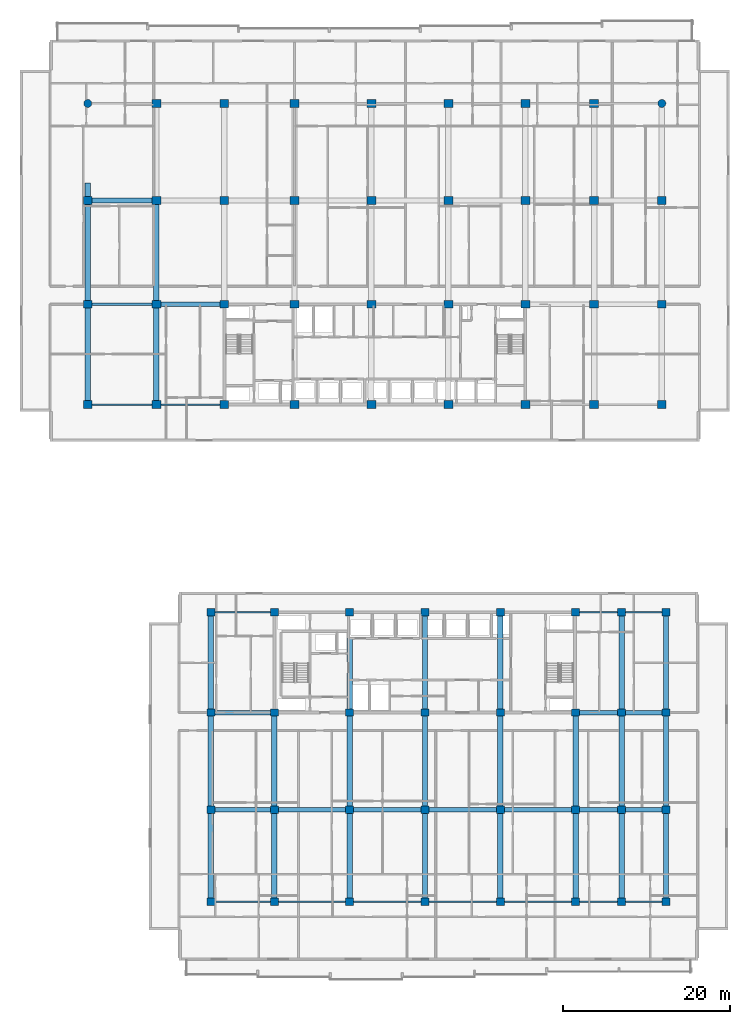
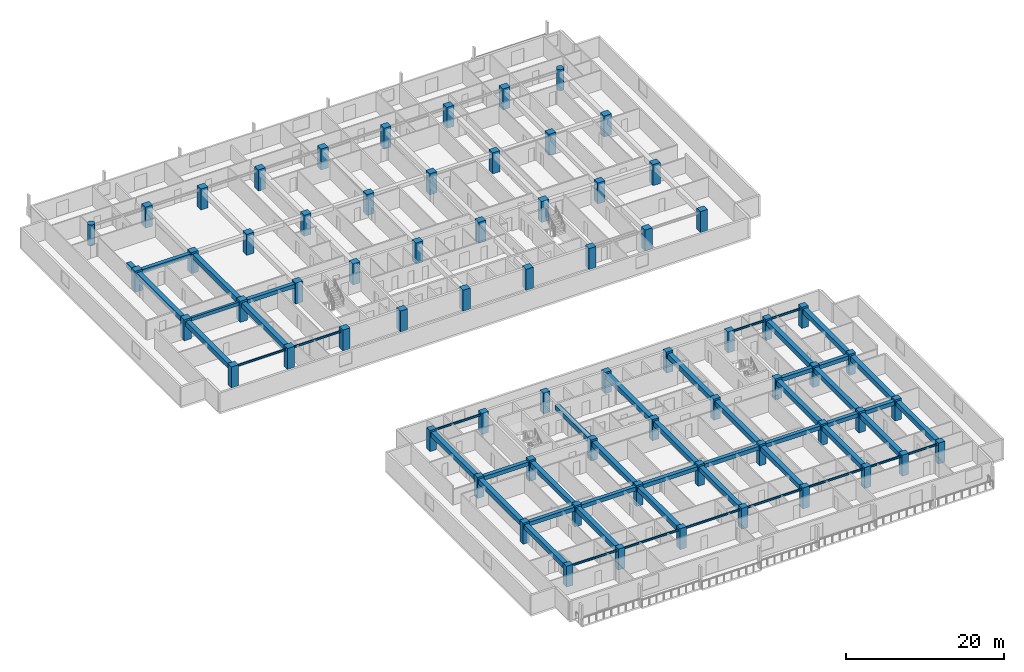
# One storey, part 1 of 23: 68 columns, 52 beams.
"""IFC4 building model written with IfcOpenShell, lengths in metres."""

from ifc_helpers import new_model, si_unit, direction, frame, origin, origin_2d, place, context, subcontext, project, spatial, rectangle, circle, i_section, extrude, material, material_profile, profile_set, type_object, element, save


model = new_model("IFC4")

# Units and contexts
model_context = context("Model", 3, precision=1e-05, world=origin(), true_north=direction((0.0, 1.0)))
body_context = subcontext(model_context, "Body", "Model", "MODEL_VIEW")
ifc_project = project(units=[si_unit("LENGTHUNIT", "METRE"), si_unit("AREAUNIT", "SQUARE_METRE"), si_unit("VOLUMEUNIT", "CUBIC_METRE"), si_unit("PLANEANGLEUNIT", "RADIAN"), si_unit("MASSUNIT", "GRAM", prefix="KILO")], contexts=[model_context])

# Site, building, storey
site_placement = place(None, origin())
site = spatial("IfcSite", under=ifc_project, at=site_placement, CompositionType="ELEMENT")
building_placement = place(site_placement, origin())
building = spatial("IfcBuilding", under=site, at=building_placement, Name="Korimba Cascade Residences", CompositionType="ELEMENT")
storey_placement = place(building_placement, frame((0.0, 0.0, 40.25)))
storey = spatial("IfcBuildingStorey", under=building, at=storey_placement, Name="L10", CompositionType="ELEMENT", Elevation=40.25)

# Columns
ifc_material_1 = material(Name="Concrete C80/95", Category="concrete")
ifc_material_profile_1 = material_profile(ifc_material_1, rectangle(XDim=1.050048828125, YDim=0.949951171875, at=origin_2d()), Name="Concrete C80/95")
ifc_profile_set_1 = profile_set([ifc_material_profile_1], Name="Concrete C80/95")
column_type_1 = type_object("IfcColumnType", Name="COL-RC-1050", PredefinedType="COLUMN", material=ifc_profile_set_1)
for number, where, z_axis, x_axis, name in (
    (1, (59.800048828125, 55.199951171875, 0.0), (0.0, 0.0, 1.0), (1.0, 0.0, 0.0), "L10 Tower 1 Column 1.1"),
    (2, (59.800048828125, 67.199951171875, 0.0), (0.0, 0.0, 1.0), (1.0, 0.0, 0.0), "L10 Tower 1 Column 1.2"),
    (3, (59.800048828125, 79.60009765625, 0.0), (0.0, 0.0, 1.0), (1.0, 0.0, 0.0), "L10 Tower 1 Column 1.3"),
    (4, (68.0, 55.199951171875, 0.0), (0.0, 0.0, 1.0), (1.0, 0.0, 0.0), "L10 Tower 1 Column 2.1"),
    (5, (68.0, 67.199951171875, 0.0), (0.0, 0.0, 1.0), (1.0, 0.0, 0.0), "L10 Tower 1 Column 2.2"),
    (6, (68.0, 79.60009765625, 0.0), (0.0, 0.0, 1.0), (1.0, 0.0, 0.0), "L10 Tower 1 Column 2.3"),
    (7, (68.0, 91.199951171875, 0.0), (0.0, 0.0, 1.0), (1.0, 0.0, 0.0), "L10 Tower 1 Column 2.4"),
    (8, (76.10009765625, 55.199951171875, 0.0), (0.0, 0.0, 1.0), (1.0, 0.0, 0.0), "L10 Tower 1 Column 3.1"),
    (9, (76.10009765625, 67.199951171875, 0.0), (0.0, 0.0, 1.0), (1.0, 0.0, 0.0), "L10 Tower 1 Column 3.2"),
    (10, (76.10009765625, 79.60009765625, 0.0), (0.0, 0.0, 1.0), (1.0, 0.0, 0.0), "L10 Tower 1 Column 3.3"),
    (11, (76.10009765625, 91.199951171875, 0.0), (0.0, 0.0, 1.0), (1.0, 0.0, 0.0), "L10 Tower 1 Column 3.4"),
    (12, (84.5, 55.199951171875, 0.0), (0.0, 0.0, 1.0), (1.0, 0.0, 0.0), "L10 Tower 1 Column 4.1"),
    (13, (84.5, 67.199951171875, 0.0), (0.0, 0.0, 1.0), (1.0, 0.0, 0.0), "L10 Tower 1 Column 4.2"),
    (14, (84.5, 79.60009765625, 0.0), (0.0, 0.0, 1.0), (1.0, 0.0, 0.0), "L10 Tower 1 Column 4.3"),
    (15, (84.5, 91.199951171875, 0.0), (0.0, 0.0, 1.0), (1.0, 0.0, 0.0), "L10 Tower 1 Column 4.4"),
    (16, (93.699951171875, 55.199951171875, 0.0), (0.0, 0.0, 1.0), (1.0, 0.0, 0.0), "L10 Tower 1 Column 5.1"),
    (17, (93.699951171875, 67.199951171875, 0.0), (0.0, 0.0, 1.0), (1.0, 0.0, 0.0), "L10 Tower 1 Column 5.2"),
    (18, (93.699951171875, 79.60009765625, 0.0), (0.0, 0.0, 1.0), (1.0, 0.0, 0.0), "L10 Tower 1 Column 5.3"),
    (19, (93.699951171875, 91.199951171875, 0.0), (0.0, 0.0, 1.0), (1.0, 0.0, 0.0), "L10 Tower 1 Column 5.4"),
    (20, (102.89990234375, 55.199951171875, 0.0), (0.0, 0.0, 1.0), (1.0, 0.0, 0.0), "L10 Tower 1 Column 6.1"),
    (21, (102.89990234375, 67.199951171875, 0.0), (0.0, 0.0, 1.0), (1.0, 0.0, 0.0), "L10 Tower 1 Column 6.2"),
    (22, (102.89990234375, 79.60009765625, 0.0), (0.0, 0.0, 1.0), (1.0, 0.0, 0.0), "L10 Tower 1 Column 6.3"),
    (23, (102.89990234375, 91.199951171875, 0.0), (0.0, 0.0, 1.0), (1.0, 0.0, 0.0), "L10 Tower 1 Column 6.4"),
    (24, (112.10009765625, 55.199951171875, 0.0), (0.0, 0.0, 1.0), (1.0, 0.0, 0.0), "L10 Tower 1 Column 7.1"),
    (25, (112.10009765625, 67.199951171875, 0.0), (0.0, 0.0, 1.0), (1.0, 0.0, 0.0), "L10 Tower 1 Column 7.2"),
    (26, (112.10009765625, 79.60009765625, 0.0), (0.0, 0.0, 1.0), (1.0, 0.0, 0.0), "L10 Tower 1 Column 7.3"),
    (27, (112.10009765625, 91.199951171875, 0.0), (0.0, 0.0, 1.0), (1.0, 0.0, 0.0), "L10 Tower 1 Column 7.4"),
    (28, (120.300048828125, 55.199951171875, 0.0), (0.0, 0.0, 1.0), (1.0, 0.0, 0.0), "L10 Tower 1 Column 8.1"),
    (29, (120.300048828125, 67.199951171875, 0.0), (0.0, 0.0, 1.0), (1.0, 0.0, 0.0), "L10 Tower 1 Column 8.2"),
    (30, (120.300048828125, 79.60009765625, 0.0), (0.0, 0.0, 1.0), (1.0, 0.0, 0.0), "L10 Tower 1 Column 8.3"),
    (31, (120.300048828125, 91.199951171875, 0.0), (0.0, 0.0, 1.0), (1.0, 0.0, 0.0), "L10 Tower 1 Column 8.4"),
    (32, (128.39990234375, 55.199951171875, 0.0), (0.0, 0.0, 1.0), (1.0, 0.0, 0.0), "L10 Tower 1 Column 9.1"),
    (33, (128.39990234375, 67.199951171875, 0.0), (0.0, 0.0, 1.0), (1.0, 0.0, 0.0), "L10 Tower 1 Column 9.2"),
    (34, (128.39990234375, 79.60009765625, 0.0), (0.0, 0.0, 1.0), (1.0, 0.0, 0.0), "L10 Tower 1 Column 9.3"),
):
    element("IfcColumn", number, at=place(storey_placement, frame(where, z_axis=z_axis, x_axis=x_axis)), inside=storey, type_object=column_type_1, Name=name, PredefinedType="COLUMN", context=body_context, shape_type="SweptSolid", body=[
        extrude(rectangle(XDim=1.050048828125, YDim=0.949951171875, at=origin_2d()), origin(), (0.0, 0.0, 1.0), 3.25),
    ])
ifc_material_2 = material(Name="Concrete C65/80", Category="concrete")
ifc_material_profile_2 = material_profile(ifc_material_2, rectangle(XDim=0.949951171875, YDim=0.85009765625, at=origin_2d()), Name="Concrete C65/80")
ifc_profile_set_2 = profile_set([ifc_material_profile_2], Name="Concrete C65/80")
column_type_2 = type_object("IfcColumnType", Name="COL-RC-950", PredefinedType="COLUMN", material=ifc_profile_set_2)
for number, where, z_axis, x_axis, name in (
    (35, (74.5, -4.199951171875, 0.0), (0.0, 0.0, 1.0), (1.0, 0.0, 0.0), "L10 Tower 2 Column 1.1"),
    (36, (74.5, 6.800048828125, 0.0), (0.0, 0.0, 1.0), (1.0, 0.0, 0.0), "L10 Tower 2 Column 1.2"),
    (37, (74.5, 18.39990234375, 0.0), (0.0, 0.0, 1.0), (1.0, 0.0, 0.0), "L10 Tower 2 Column 1.3"),
    (38, (74.5, 30.39990234375, 0.0), (0.0, 0.0, 1.0), (1.0, 0.0, 0.0), "L10 Tower 2 Column 1.4"),
    (39, (82.10009765625, -4.199951171875, 0.0), (0.0, 0.0, 1.0), (1.0, 0.0, 0.0), "L10 Tower 2 Column 2.1"),
    (40, (82.10009765625, 6.800048828125, 0.0), (0.0, 0.0, 1.0), (1.0, 0.0, 0.0), "L10 Tower 2 Column 2.2"),
    (41, (82.10009765625, 18.39990234375, 0.0), (0.0, 0.0, 1.0), (1.0, 0.0, 0.0), "L10 Tower 2 Column 2.3"),
    (42, (82.10009765625, 30.39990234375, 0.0), (0.0, 0.0, 1.0), (1.0, 0.0, 0.0), "L10 Tower 2 Column 2.4"),
    (43, (91.10009765625, -4.199951171875, 0.0), (0.0, 0.0, 1.0), (1.0, 0.0, 0.0), "L10 Tower 2 Column 3.1"),
    (44, (91.10009765625, 6.800048828125, 0.0), (0.0, 0.0, 1.0), (1.0, 0.0, 0.0), "L10 Tower 2 Column 3.2"),
    (45, (91.10009765625, 18.39990234375, 0.0), (0.0, 0.0, 1.0), (1.0, 0.0, 0.0), "L10 Tower 2 Column 3.3"),
    (46, (91.10009765625, 30.39990234375, 0.0), (0.0, 0.0, 1.0), (1.0, 0.0, 0.0), "L10 Tower 2 Column 3.4"),
    (47, (100.10009765625, -4.199951171875, 0.0), (0.0, 0.0, 1.0), (1.0, 0.0, 0.0), "L10 Tower 2 Column 4.1"),
    (48, (100.10009765625, 6.800048828125, 0.0), (0.0, 0.0, 1.0), (1.0, 0.0, 0.0), "L10 Tower 2 Column 4.2"),
    (49, (100.10009765625, 18.39990234375, 0.0), (0.0, 0.0, 1.0), (1.0, 0.0, 0.0), "L10 Tower 2 Column 4.3"),
    (50, (100.10009765625, 30.39990234375, 0.0), (0.0, 0.0, 1.0), (1.0, 0.0, 0.0), "L10 Tower 2 Column 4.4"),
    (51, (109.10009765625, -4.199951171875, 0.0), (0.0, 0.0, 1.0), (1.0, 0.0, 0.0), "L10 Tower 2 Column 5.1"),
    (52, (109.10009765625, 6.800048828125, 0.0), (0.0, 0.0, 1.0), (1.0, 0.0, 0.0), "L10 Tower 2 Column 5.2"),
    (53, (109.10009765625, 18.39990234375, 0.0), (0.0, 0.0, 1.0), (1.0, 0.0, 0.0), "L10 Tower 2 Column 5.3"),
    (54, (109.10009765625, 30.39990234375, 0.0), (0.0, 0.0, 1.0), (1.0, 0.0, 0.0), "L10 Tower 2 Column 5.4"),
    (55, (118.10009765625, -4.199951171875, 0.0), (0.0, 0.0, 1.0), (1.0, 0.0, 0.0), "L10 Tower 2 Column 6.1"),
    (56, (118.10009765625, 6.800048828125, 0.0), (0.0, 0.0, 1.0), (1.0, 0.0, 0.0), "L10 Tower 2 Column 6.2"),
    (57, (118.10009765625, 18.39990234375, 0.0), (0.0, 0.0, 1.0), (1.0, 0.0, 0.0), "L10 Tower 2 Column 6.3"),
    (58, (118.10009765625, 30.39990234375, 0.0), (0.0, 0.0, 1.0), (1.0, 0.0, 0.0), "L10 Tower 2 Column 6.4"),
    (59, (123.60009765625, -4.199951171875, 0.0), (0.0, 0.0, 1.0), (1.0, 0.0, 0.0), "L10 Tower 2 Column 7.1"),
    (60, (123.60009765625, 6.800048828125, 0.0), (0.0, 0.0, 1.0), (1.0, 0.0, 0.0), "L10 Tower 2 Column 7.2"),
    (61, (123.60009765625, 18.39990234375, 0.0), (0.0, 0.0, 1.0), (1.0, 0.0, 0.0), "L10 Tower 2 Column 7.3"),
    (62, (123.60009765625, 30.39990234375, 0.0), (0.0, 0.0, 1.0), (1.0, 0.0, 0.0), "L10 Tower 2 Column 7.4"),
    (63, (128.89990234375, -4.199951171875, 0.0), (0.0, 0.0, 1.0), (1.0, 0.0, 0.0), "L10 Tower 2 Column 8.1"),
    (64, (128.89990234375, 6.800048828125, 0.0), (0.0, 0.0, 1.0), (1.0, 0.0, 0.0), "L10 Tower 2 Column 8.2"),
    (65, (128.89990234375, 18.39990234375, 0.0), (0.0, 0.0, 1.0), (1.0, 0.0, 0.0), "L10 Tower 2 Column 8.3"),
    (66, (128.89990234375, 30.39990234375, 0.0), (0.0, 0.0, 1.0), (1.0, 0.0, 0.0), "L10 Tower 2 Column 8.4"),
):
    element("IfcColumn", number, at=place(storey_placement, frame(where, z_axis=z_axis, x_axis=x_axis)), inside=storey, type_object=column_type_2, Name=name, PredefinedType="COLUMN", context=body_context, shape_type="SweptSolid", body=[
        extrude(rectangle(XDim=0.949951171875, YDim=0.85009765625, at=origin_2d()), origin(), (0.0, 0.0, 1.0), 3.25),
    ])
ifc_material_profile_3 = material_profile(ifc_material_1, circle(Radius=0.47509765625, at=origin_2d()), Name="Concrete C80/95")
ifc_profile_set_3 = profile_set([ifc_material_profile_3], Name="Concrete C80/95")
column_type_3 = type_object("IfcColumnType", Name="COL-RC-D950", PredefinedType="COLUMN", material=ifc_profile_set_3)
for number, where, z_axis, x_axis, name in (
    (67, (59.800048828125, 91.199951171875, 0.0), (0.0, 0.0, 1.0), (1.0, 0.0, 0.0), "L10 Tower 1 Column 1.4"),
    (68, (128.39990234375, 91.199951171875, 0.0), (0.0, 0.0, 1.0), (1.0, 0.0, 0.0), "L10 Tower 1 Column 9.4"),
):
    element("IfcColumn", number, at=place(storey_placement, frame(where, z_axis=z_axis, x_axis=x_axis)), inside=storey, type_object=column_type_3, Name=name, PredefinedType="COLUMN", context=body_context, shape_type="SweptSolid", body=[
        extrude(circle(Radius=0.47509765625, at=origin_2d()), origin(), (0.0, 0.0, 1.0), 3.25),
    ])

# Beams
ifc_material_3 = material(Name="Concrete C50/60", Category="concrete")
ifc_material_profile_4 = material_profile(ifc_material_3, rectangle(XDim=0.550048828125, YDim=0.60009765625, at=origin_2d()), Name="Concrete C50/60")
ifc_profile_set_4 = profile_set([ifc_material_profile_4], Name="Concrete C50/60")
beam_type_1 = type_object("IfcBeamType", Name="BM-RC-B600", PredefinedType="BEAM", material=ifc_profile_set_4)
beam_1_placement = place(storey_placement, frame((68.52490234375, 67.199951171875, 2.669921875), z_axis=(1.0, 0.0, 0.0), x_axis=(0.0, 1.0, 0.0)))
element("IfcBeam", 69, at=beam_1_placement, inside=storey, type_object=beam_type_1, Name="L10 T1 E-W Girder Y2 Bay 2", PredefinedType="BEAM", context=body_context, shape_type="SweptSolid", body=[
    extrude(rectangle(XDim=0.550048828125, YDim=0.60009765625, at=origin_2d()), origin(), (0.0, 0.0, 1.0), 7.050048828125),
])
beam_2_placement = place(storey_placement, frame((60.324951171875, 79.60009765625, 2.669921875), z_axis=(1.0, 0.0, 0.0), x_axis=(0.0, 1.0, 0.0)))
element("IfcBeam", 70, at=beam_2_placement, inside=storey, type_object=beam_type_1, Name="L10 T1 E-W Girder Y3 Bay 1", PredefinedType="BEAM", context=body_context, shape_type="SweptSolid", body=[
    extrude(rectangle(XDim=0.550048828125, YDim=0.60009765625, at=origin_2d()), origin(), (0.0, 0.0, 1.0), 7.150146484375),
])
beam_3_placement = place(storey_placement, frame((74.97509765625, 6.800048828125, 2.669921875), z_axis=(1.0, 0.0, 0.0), x_axis=(0.0, 1.0, 0.0)))
element("IfcBeam", 71, at=beam_3_placement, inside=storey, type_object=beam_type_1, Name="L10 T2 E-W Girder Y2 Bay 1", PredefinedType="BEAM", context=body_context, shape_type="SweptSolid", body=[
    extrude(rectangle(XDim=0.550048828125, YDim=0.60009765625, at=origin_2d()), origin(), (0.0, 0.0, 1.0), 6.64990234375),
])
for number, where, z_axis, x_axis, name in (
    (72, (82.574951171875, 6.800048828125, 2.669921875), (1.0, 0.0, 0.0), (0.0, 1.0, 0.0), "L10 T2 E-W Girder Y2 Bay 2"),
    (73, (91.574951171875, 6.800048828125, 2.669921875), (1.0, 0.0, 0.0), (0.0, 1.0, 0.0), "L10 T2 E-W Girder Y2 Bay 3"),
    (74, (100.574951171875, 6.800048828125, 2.669921875), (1.0, 0.0, 0.0), (0.0, 1.0, 0.0), "L10 T2 E-W Girder Y2 Bay 4"),
    (75, (109.574951171875, 6.800048828125, 2.669921875), (1.0, 0.0, 0.0), (0.0, 1.0, 0.0), "L10 T2 E-W Girder Y2 Bay 5"),
):
    element("IfcBeam", number, at=place(storey_placement, frame(where, z_axis=z_axis, x_axis=x_axis)), inside=storey, type_object=beam_type_1, Name=name, PredefinedType="BEAM", context=body_context, shape_type="SweptSolid", body=[
        extrude(rectangle(XDim=0.550048828125, YDim=0.60009765625, at=origin_2d()), origin(), (0.0, 0.0, 1.0), 8.050048828125),
    ])
beam_4_placement = place(storey_placement, frame((118.574951171875, 6.800048828125, 2.669921875), z_axis=(1.0, 0.0, 0.0), x_axis=(0.0, 1.0, 0.0)))
element("IfcBeam", 76, at=beam_4_placement, inside=storey, type_object=beam_type_1, Name="L10 T2 E-W Girder Y2 Bay 6", PredefinedType="BEAM", context=body_context, shape_type="SweptSolid", body=[
    extrude(rectangle(XDim=0.550048828125, YDim=0.60009765625, at=origin_2d()), origin(), (0.0, 0.0, 1.0), 4.550048828125),
])
beam_5_placement = place(storey_placement, frame((124.074951171875, 6.800048828125, 2.669921875), z_axis=(1.0, 0.0, 0.0), x_axis=(0.0, 1.0, 0.0)))
element("IfcBeam", 77, at=beam_5_placement, inside=storey, type_object=beam_type_1, Name="L10 T2 E-W Girder Y2 Bay 7", PredefinedType="BEAM", context=body_context, shape_type="SweptSolid", body=[
    extrude(rectangle(XDim=0.550048828125, YDim=0.60009765625, at=origin_2d()), origin(), (0.0, 0.0, 1.0), 4.35009765625),
])
beam_6_placement = place(storey_placement, frame((74.97509765625, 18.39990234375, 2.669921875), z_axis=(1.0, 0.0, 0.0), x_axis=(0.0, 1.0, 0.0)))
element("IfcBeam", 78, at=beam_6_placement, inside=storey, type_object=beam_type_1, Name="L10 T2 E-W Girder Y3 Bay 1", PredefinedType="BEAM", context=body_context, shape_type="SweptSolid", body=[
    extrude(rectangle(XDim=0.550048828125, YDim=0.60009765625, at=origin_2d()), origin(), (0.0, 0.0, 1.0), 6.64990234375),
])
beam_7_placement = place(storey_placement, frame((118.574951171875, 18.39990234375, 2.669921875), z_axis=(1.0, 0.0, 0.0), x_axis=(0.0, 1.0, 0.0)))
element("IfcBeam", 79, at=beam_7_placement, inside=storey, type_object=beam_type_1, Name="L10 T2 E-W Girder Y3 Bay 6", PredefinedType="BEAM", context=body_context, shape_type="SweptSolid", body=[
    extrude(rectangle(XDim=0.550048828125, YDim=0.60009765625, at=origin_2d()), origin(), (0.0, 0.0, 1.0), 4.550048828125),
])
beam_8_placement = place(storey_placement, frame((124.074951171875, 18.39990234375, 2.669921875), z_axis=(1.0, 0.0, 0.0), x_axis=(0.0, 1.0, 0.0)))
element("IfcBeam", 80, at=beam_8_placement, inside=storey, type_object=beam_type_1, Name="L10 T2 E-W Girder Y3 Bay 7", PredefinedType="BEAM", context=body_context, shape_type="SweptSolid", body=[
    extrude(rectangle(XDim=0.550048828125, YDim=0.60009765625, at=origin_2d()), origin(), (0.0, 0.0, 1.0), 4.35009765625),
])
ifc_material_profile_5 = material_profile(ifc_material_3, rectangle(XDim=0.64990234375, YDim=0.75, at=origin_2d()), Name="Concrete C50/60")
ifc_profile_set_5 = profile_set([ifc_material_profile_5], Name="Concrete C50/60")
beam_type_2 = type_object("IfcBeamType", Name="BM-RC-G750", PredefinedType="BEAM", material=ifc_profile_set_5)
beam_9_placement = place(storey_placement, frame((59.800048828125, 55.675048828125, 2.594970703125), z_axis=(0.0, 1.0, 0.0), x_axis=(-1.0, 0.0, 0.0)))
element("IfcBeam", 81, at=beam_9_placement, inside=storey, type_object=beam_type_2, Name="L10 T1 N-S Girder X1 Seg 1", PredefinedType="BEAM", context=body_context, shape_type="SweptSolid", body=[
    extrude(rectangle(XDim=0.64990234375, YDim=0.75, at=origin_2d()), origin(), (0.0, 0.0, 1.0), 11.050048828125),
])
beam_10_placement = place(storey_placement, frame((59.800048828125, 67.675048828125, 2.594970703125), z_axis=(0.0, 1.0, 0.0), x_axis=(-1.0, 0.0, 0.0)))
element("IfcBeam", 82, at=beam_10_placement, inside=storey, type_object=beam_type_2, Name="L10 T1 N-S Girder X1 Seg 2", PredefinedType="BEAM", context=body_context, shape_type="SweptSolid", body=[
    extrude(rectangle(XDim=0.64990234375, YDim=0.75, at=origin_2d()), origin(), (0.0, 0.0, 1.0), 11.449951171875),
])
beam_11_placement = place(storey_placement, frame((59.800048828125, 80.074951171875, 2.594970703125), z_axis=(0.0, 1.0, 0.0), x_axis=(-1.0, 0.0, 0.0)))
element("IfcBeam", 83, at=beam_11_placement, inside=storey, type_object=beam_type_2, Name="L10 T1 N-S Girder X1 Seg 3", PredefinedType="BEAM", context=body_context, shape_type="SweptSolid", body=[
    extrude(rectangle(XDim=0.64990234375, YDim=0.75, at=origin_2d()), origin(), (0.0, 0.0, 1.0), 1.625),
])
beam_12_placement = place(storey_placement, frame((68.0, 55.675048828125, 2.594970703125), z_axis=(0.0, 1.0, 0.0), x_axis=(-1.0, 0.0, 0.0)))
element("IfcBeam", 84, at=beam_12_placement, inside=storey, type_object=beam_type_2, Name="L10 T1 N-S Girder X2 Seg 1", PredefinedType="BEAM", context=body_context, shape_type="SweptSolid", body=[
    extrude(rectangle(XDim=0.64990234375, YDim=0.75, at=origin_2d()), origin(), (0.0, 0.0, 1.0), 11.050048828125),
])
beam_13_placement = place(storey_placement, frame((68.0, 67.675048828125, 2.594970703125), z_axis=(0.0, 1.0, 0.0), x_axis=(-1.0, 0.0, 0.0)))
element("IfcBeam", 85, at=beam_13_placement, inside=storey, type_object=beam_type_2, Name="L10 T1 N-S Girder X2 Seg 2", PredefinedType="BEAM", context=body_context, shape_type="SweptSolid", body=[
    extrude(rectangle(XDim=0.64990234375, YDim=0.75, at=origin_2d()), origin(), (0.0, 0.0, 1.0), 11.449951171875),
])
beam_14_placement = place(storey_placement, frame((74.5, -3.77490234375, 2.594970703125), z_axis=(0.0, 1.0, 0.0), x_axis=(-1.0, 0.0, 0.0)))
element("IfcBeam", 86, at=beam_14_placement, inside=storey, type_object=beam_type_2, Name="L10 T2 N-S Girder X1 Seg 1", PredefinedType="BEAM", context=body_context, shape_type="SweptSolid", body=[
    extrude(rectangle(XDim=0.64990234375, YDim=0.75, at=origin_2d()), origin(), (0.0, 0.0, 1.0), 10.14990234375),
])
beam_15_placement = place(storey_placement, frame((74.5, 7.22509765625, 2.594970703125), z_axis=(0.0, 1.0, 0.0), x_axis=(-1.0, 0.0, 0.0)))
element("IfcBeam", 87, at=beam_15_placement, inside=storey, type_object=beam_type_2, Name="L10 T2 N-S Girder X1 Seg 2", PredefinedType="BEAM", context=body_context, shape_type="SweptSolid", body=[
    extrude(rectangle(XDim=0.64990234375, YDim=0.75, at=origin_2d()), origin(), (0.0, 0.0, 1.0), 10.75),
])
beam_16_placement = place(storey_placement, frame((74.5, 18.824951171875, 2.594970703125), z_axis=(0.0, 1.0, 0.0), x_axis=(-1.0, 0.0, 0.0)))
element("IfcBeam", 88, at=beam_16_placement, inside=storey, type_object=beam_type_2, Name="L10 T2 N-S Girder X1 Seg 3", PredefinedType="BEAM", context=body_context, shape_type="SweptSolid", body=[
    extrude(rectangle(XDim=0.64990234375, YDim=0.75, at=origin_2d()), origin(), (0.0, 0.0, 1.0), 11.150146484375),
])
beam_17_placement = place(storey_placement, frame((82.10009765625, -3.77490234375, 2.594970703125), z_axis=(0.0, 1.0, 0.0), x_axis=(-1.0, 0.0, 0.0)))
element("IfcBeam", 89, at=beam_17_placement, inside=storey, type_object=beam_type_2, Name="L10 T2 N-S Girder X2 Seg 1", PredefinedType="BEAM", context=body_context, shape_type="SweptSolid", body=[
    extrude(rectangle(XDim=0.64990234375, YDim=0.75, at=origin_2d()), origin(), (0.0, 0.0, 1.0), 10.14990234375),
])
beam_18_placement = place(storey_placement, frame((82.10009765625, 7.22509765625, 2.594970703125), z_axis=(0.0, 1.0, 0.0), x_axis=(-1.0, 0.0, 0.0)))
element("IfcBeam", 90, at=beam_18_placement, inside=storey, type_object=beam_type_2, Name="L10 T2 N-S Girder X2 Seg 2", PredefinedType="BEAM", context=body_context, shape_type="SweptSolid", body=[
    extrude(rectangle(XDim=0.64990234375, YDim=0.75, at=origin_2d()), origin(), (0.0, 0.0, 1.0), 10.75),
])
beam_19_placement = place(storey_placement, frame((91.10009765625, -3.77490234375, 2.594970703125), z_axis=(0.0, 1.0, 0.0), x_axis=(-1.0, 0.0, 0.0)))
element("IfcBeam", 91, at=beam_19_placement, inside=storey, type_object=beam_type_2, Name="L10 T2 N-S Girder X3 Seg 1", PredefinedType="BEAM", context=body_context, shape_type="SweptSolid", body=[
    extrude(rectangle(XDim=0.64990234375, YDim=0.75, at=origin_2d()), origin(), (0.0, 0.0, 1.0), 10.14990234375),
])
beam_20_placement = place(storey_placement, frame((91.10009765625, 7.22509765625, 2.594970703125), z_axis=(0.0, 1.0, 0.0), x_axis=(-1.0, 0.0, 0.0)))
element("IfcBeam", 92, at=beam_20_placement, inside=storey, type_object=beam_type_2, Name="L10 T2 N-S Girder X3 Seg 2", PredefinedType="BEAM", context=body_context, shape_type="SweptSolid", body=[
    extrude(rectangle(XDim=0.64990234375, YDim=0.75, at=origin_2d()), origin(), (0.0, 0.0, 1.0), 10.75),
])
beam_21_placement = place(storey_placement, frame((91.10009765625, 18.824951171875, 2.594970703125), z_axis=(0.0, 1.0, 0.0), x_axis=(-1.0, 0.0, 0.0)))
element("IfcBeam", 93, at=beam_21_placement, inside=storey, type_object=beam_type_2, Name="L10 T2 N-S Girder X3 Seg 3", PredefinedType="BEAM", context=body_context, shape_type="SweptSolid", body=[
    extrude(rectangle(XDim=0.64990234375, YDim=0.75, at=origin_2d()), origin(), (0.0, 0.0, 1.0), 8.51513671875),
])
beam_22_placement = place(storey_placement, frame((100.10009765625, -3.77490234375, 2.594970703125), z_axis=(0.0, 1.0, 0.0), x_axis=(-1.0, 0.0, 0.0)))
element("IfcBeam", 94, at=beam_22_placement, inside=storey, type_object=beam_type_2, Name="L10 T2 N-S Girder X4 Seg 1", PredefinedType="BEAM", context=body_context, shape_type="SweptSolid", body=[
    extrude(rectangle(XDim=0.64990234375, YDim=0.75, at=origin_2d()), origin(), (0.0, 0.0, 1.0), 10.14990234375),
])
beam_23_placement = place(storey_placement, frame((100.10009765625, 7.22509765625, 2.594970703125), z_axis=(0.0, 1.0, 0.0), x_axis=(-1.0, 0.0, 0.0)))
element("IfcBeam", 95, at=beam_23_placement, inside=storey, type_object=beam_type_2, Name="L10 T2 N-S Girder X4 Seg 2", PredefinedType="BEAM", context=body_context, shape_type="SweptSolid", body=[
    extrude(rectangle(XDim=0.64990234375, YDim=0.75, at=origin_2d()), origin(), (0.0, 0.0, 1.0), 10.75),
])
beam_24_placement = place(storey_placement, frame((100.10009765625, 18.824951171875, 2.594970703125), z_axis=(0.0, 1.0, 0.0), x_axis=(-1.0, 0.0, 0.0)))
element("IfcBeam", 96, at=beam_24_placement, inside=storey, type_object=beam_type_2, Name="L10 T2 N-S Girder X4 Seg 3", PredefinedType="BEAM", context=body_context, shape_type="SweptSolid", body=[
    extrude(rectangle(XDim=0.64990234375, YDim=0.75, at=origin_2d()), origin(), (0.0, 0.0, 1.0), 11.150146484375),
])
beam_25_placement = place(storey_placement, frame((109.10009765625, -3.77490234375, 2.594970703125), z_axis=(0.0, 1.0, 0.0), x_axis=(-1.0, 0.0, 0.0)))
element("IfcBeam", 97, at=beam_25_placement, inside=storey, type_object=beam_type_2, Name="L10 T2 N-S Girder X5 Seg 1", PredefinedType="BEAM", context=body_context, shape_type="SweptSolid", body=[
    extrude(rectangle(XDim=0.64990234375, YDim=0.75, at=origin_2d()), origin(), (0.0, 0.0, 1.0), 10.14990234375),
])
beam_26_placement = place(storey_placement, frame((109.10009765625, 7.22509765625, 2.594970703125), z_axis=(0.0, 1.0, 0.0), x_axis=(-1.0, 0.0, 0.0)))
element("IfcBeam", 98, at=beam_26_placement, inside=storey, type_object=beam_type_2, Name="L10 T2 N-S Girder X5 Seg 2", PredefinedType="BEAM", context=body_context, shape_type="SweptSolid", body=[
    extrude(rectangle(XDim=0.64990234375, YDim=0.75, at=origin_2d()), origin(), (0.0, 0.0, 1.0), 10.75),
])
beam_27_placement = place(storey_placement, frame((109.10009765625, 18.824951171875, 2.594970703125), z_axis=(0.0, 1.0, 0.0), x_axis=(-1.0, 0.0, 0.0)))
element("IfcBeam", 99, at=beam_27_placement, inside=storey, type_object=beam_type_2, Name="L10 T2 N-S Girder X5 Seg 3", PredefinedType="BEAM", context=body_context, shape_type="SweptSolid", body=[
    extrude(rectangle(XDim=0.64990234375, YDim=0.75, at=origin_2d()), origin(), (0.0, 0.0, 1.0), 11.150146484375),
])
beam_28_placement = place(storey_placement, frame((118.10009765625, -3.77490234375, 2.594970703125), z_axis=(0.0, 1.0, 0.0), x_axis=(-1.0, 0.0, 0.0)))
element("IfcBeam", 100, at=beam_28_placement, inside=storey, type_object=beam_type_2, Name="L10 T2 N-S Girder X6 Seg 1", PredefinedType="BEAM", context=body_context, shape_type="SweptSolid", body=[
    extrude(rectangle(XDim=0.64990234375, YDim=0.75, at=origin_2d()), origin(), (0.0, 0.0, 1.0), 10.14990234375),
])
beam_29_placement = place(storey_placement, frame((118.10009765625, 7.22509765625, 2.594970703125), z_axis=(0.0, 1.0, 0.0), x_axis=(-1.0, 0.0, 0.0)))
element("IfcBeam", 101, at=beam_29_placement, inside=storey, type_object=beam_type_2, Name="L10 T2 N-S Girder X6 Seg 2", PredefinedType="BEAM", context=body_context, shape_type="SweptSolid", body=[
    extrude(rectangle(XDim=0.64990234375, YDim=0.75, at=origin_2d()), origin(), (0.0, 0.0, 1.0), 10.75),
])
beam_30_placement = place(storey_placement, frame((123.60009765625, -3.77490234375, 2.594970703125), z_axis=(0.0, 1.0, 0.0), x_axis=(-1.0, 0.0, 0.0)))
element("IfcBeam", 102, at=beam_30_placement, inside=storey, type_object=beam_type_2, Name="L10 T2 N-S Girder X7 Seg 1", PredefinedType="BEAM", context=body_context, shape_type="SweptSolid", body=[
    extrude(rectangle(XDim=0.64990234375, YDim=0.75, at=origin_2d()), origin(), (0.0, 0.0, 1.0), 10.14990234375),
])
beam_31_placement = place(storey_placement, frame((123.60009765625, 7.22509765625, 2.594970703125), z_axis=(0.0, 1.0, 0.0), x_axis=(-1.0, 0.0, 0.0)))
element("IfcBeam", 103, at=beam_31_placement, inside=storey, type_object=beam_type_2, Name="L10 T2 N-S Girder X7 Seg 2", PredefinedType="BEAM", context=body_context, shape_type="SweptSolid", body=[
    extrude(rectangle(XDim=0.64990234375, YDim=0.75, at=origin_2d()), origin(), (0.0, 0.0, 1.0), 10.75),
])
beam_32_placement = place(storey_placement, frame((123.60009765625, 18.824951171875, 2.594970703125), z_axis=(0.0, 1.0, 0.0), x_axis=(-1.0, 0.0, 0.0)))
element("IfcBeam", 104, at=beam_32_placement, inside=storey, type_object=beam_type_2, Name="L10 T2 N-S Girder X7 Seg 3", PredefinedType="BEAM", context=body_context, shape_type="SweptSolid", body=[
    extrude(rectangle(XDim=0.64990234375, YDim=0.75, at=origin_2d()), origin(), (0.0, 0.0, 1.0), 11.150146484375),
])
beam_33_placement = place(storey_placement, frame((128.89990234375, -3.77490234375, 2.594970703125), z_axis=(0.0, 1.0, 0.0), x_axis=(-1.0, 0.0, 0.0)))
element("IfcBeam", 105, at=beam_33_placement, inside=storey, type_object=beam_type_2, Name="L10 T2 N-S Girder X8 Seg 1", PredefinedType="BEAM", context=body_context, shape_type="SweptSolid", body=[
    extrude(rectangle(XDim=0.64990234375, YDim=0.75, at=origin_2d()), origin(), (0.0, 0.0, 1.0), 10.14990234375),
])
beam_34_placement = place(storey_placement, frame((128.89990234375, 7.22509765625, 2.594970703125), z_axis=(0.0, 1.0, 0.0), x_axis=(-1.0, 0.0, 0.0)))
element("IfcBeam", 106, at=beam_34_placement, inside=storey, type_object=beam_type_2, Name="L10 T2 N-S Girder X8 Seg 2", PredefinedType="BEAM", context=body_context, shape_type="SweptSolid", body=[
    extrude(rectangle(XDim=0.64990234375, YDim=0.75, at=origin_2d()), origin(), (0.0, 0.0, 1.0), 10.75),
])
beam_35_placement = place(storey_placement, frame((128.89990234375, 18.824951171875, 2.594970703125), z_axis=(0.0, 1.0, 0.0), x_axis=(-1.0, 0.0, 0.0)))
element("IfcBeam", 107, at=beam_35_placement, inside=storey, type_object=beam_type_2, Name="L10 T2 N-S Girder X8 Seg 3", PredefinedType="BEAM", context=body_context, shape_type="SweptSolid", body=[
    extrude(rectangle(XDim=0.64990234375, YDim=0.75, at=origin_2d()), origin(), (0.0, 0.0, 1.0), 11.150146484375),
])
ifc_material_profile_6 = material_profile(ifc_material_3, rectangle(XDim=0.35009765625, YDim=0.5, at=origin_2d()), Name="Concrete C50/60")
ifc_profile_set_6 = profile_set([ifc_material_profile_6], Name="Concrete C50/60")
beam_type_3 = type_object("IfcBeamType", Name="BM-RC-LN500", PredefinedType="LINTEL", material=ifc_profile_set_6)
beam_36_placement = place(storey_placement, frame((60.324951171875, 67.199951171875, 2.719970703125), z_axis=(1.0, 0.0, 0.0), x_axis=(0.0, 1.0, 0.0)))
element("IfcBeam", 108, at=beam_36_placement, inside=storey, type_object=beam_type_3, Name="L10 T1 E-W Girder Y2 Bay 1", PredefinedType="LINTEL", context=body_context, shape_type="SweptSolid", body=[
    extrude(rectangle(XDim=0.35009765625, YDim=0.5, at=origin_2d()), origin(), (0.0, 0.0, 1.0), 7.150146484375),
])
ifc_material_4 = material(Name="Steel S355", Category="steel")
ifc_material_profile_7 = material_profile(ifc_material_4, i_section(OverallWidth=0.165771484375, OverallDepth=0.306640625, WebThickness=0.006591796875, FlangeThickness=0.01171875, FilletRadius=0.0087890625, at=origin_2d()), Name="Steel S355")
ifc_profile_set_7 = profile_set([ifc_material_profile_7], Name="Steel S355")
beam_type_4 = type_object("IfcBeamType", Name="BM-STL-UB305", PredefinedType="SPANDREL", material=ifc_profile_set_7)
beam_37_placement = place(storey_placement, frame((60.324951171875, 55.199951171875, 2.816650390625), z_axis=(1.0, 0.0, 0.0), x_axis=(0.0, 1.0, 0.0)))
element("IfcBeam", 109, at=beam_37_placement, inside=storey, type_object=beam_type_4, Name="L10 T1 E-W Girder Y1 Bay 1", PredefinedType="SPANDREL", context=body_context, shape_type="SweptSolid", body=[
    extrude(i_section(OverallWidth=0.165771484375, OverallDepth=0.306640625, WebThickness=0.006591796875, FlangeThickness=0.01171875, FilletRadius=0.0087890625, at=origin_2d()), origin(), (0.0, 0.0, 1.0), 7.150146484375),
])
beam_38_placement = place(storey_placement, frame((68.52490234375, 55.199951171875, 2.816650390625), z_axis=(1.0, 0.0, 0.0), x_axis=(0.0, 1.0, 0.0)))
element("IfcBeam", 110, at=beam_38_placement, inside=storey, type_object=beam_type_4, Name="L10 T1 E-W Girder Y1 Bay 2", PredefinedType="SPANDREL", context=body_context, shape_type="SweptSolid", body=[
    extrude(i_section(OverallWidth=0.165771484375, OverallDepth=0.306640625, WebThickness=0.006591796875, FlangeThickness=0.01171875, FilletRadius=0.0087890625, at=origin_2d()), origin(), (0.0, 0.0, 1.0), 7.050048828125),
])
beam_39_placement = place(storey_placement, frame((74.97509765625, -4.199951171875, 2.816650390625), z_axis=(1.0, 0.0, 0.0), x_axis=(0.0, 1.0, 0.0)))
element("IfcBeam", 111, at=beam_39_placement, inside=storey, type_object=beam_type_4, Name="L10 T2 E-W Girder Y1 Bay 1", PredefinedType="SPANDREL", context=body_context, shape_type="SweptSolid", body=[
    extrude(i_section(OverallWidth=0.165771484375, OverallDepth=0.306640625, WebThickness=0.006591796875, FlangeThickness=0.01171875, FilletRadius=0.0087890625, at=origin_2d()), origin(), (0.0, 0.0, 1.0), 6.64990234375),
])
for number, where, z_axis, x_axis, name in (
    (112, (82.574951171875, -4.199951171875, 2.816650390625), (1.0, 0.0, 0.0), (0.0, 1.0, 0.0), "L10 T2 E-W Girder Y1 Bay 2"),
    (113, (91.574951171875, -4.199951171875, 2.816650390625), (1.0, 0.0, 0.0), (0.0, 1.0, 0.0), "L10 T2 E-W Girder Y1 Bay 3"),
    (114, (100.574951171875, -4.199951171875, 2.816650390625), (1.0, 0.0, 0.0), (0.0, 1.0, 0.0), "L10 T2 E-W Girder Y1 Bay 4"),
    (115, (109.574951171875, -4.199951171875, 2.816650390625), (1.0, 0.0, 0.0), (0.0, 1.0, 0.0), "L10 T2 E-W Girder Y1 Bay 5"),
):
    element("IfcBeam", number, at=place(storey_placement, frame(where, z_axis=z_axis, x_axis=x_axis)), inside=storey, type_object=beam_type_4, Name=name, PredefinedType="SPANDREL", context=body_context, shape_type="SweptSolid", body=[
        extrude(i_section(OverallWidth=0.165771484375, OverallDepth=0.306640625, WebThickness=0.006591796875, FlangeThickness=0.01171875, FilletRadius=0.0087890625, at=origin_2d()), origin(), (0.0, 0.0, 1.0), 8.050048828125),
    ])
beam_40_placement = place(storey_placement, frame((118.574951171875, -4.199951171875, 2.816650390625), z_axis=(1.0, 0.0, 0.0), x_axis=(0.0, 1.0, 0.0)))
element("IfcBeam", 116, at=beam_40_placement, inside=storey, type_object=beam_type_4, Name="L10 T2 E-W Girder Y1 Bay 6", PredefinedType="SPANDREL", context=body_context, shape_type="SweptSolid", body=[
    extrude(i_section(OverallWidth=0.165771484375, OverallDepth=0.306640625, WebThickness=0.006591796875, FlangeThickness=0.01171875, FilletRadius=0.0087890625, at=origin_2d()), origin(), (0.0, 0.0, 1.0), 4.550048828125),
])
beam_41_placement = place(storey_placement, frame((124.074951171875, -4.199951171875, 2.816650390625), z_axis=(1.0, 0.0, 0.0), x_axis=(0.0, 1.0, 0.0)))
element("IfcBeam", 117, at=beam_41_placement, inside=storey, type_object=beam_type_4, Name="L10 T2 E-W Girder Y1 Bay 7", PredefinedType="SPANDREL", context=body_context, shape_type="SweptSolid", body=[
    extrude(i_section(OverallWidth=0.165771484375, OverallDepth=0.306640625, WebThickness=0.006591796875, FlangeThickness=0.01171875, FilletRadius=0.0087890625, at=origin_2d()), origin(), (0.0, 0.0, 1.0), 4.35009765625),
])
beam_42_placement = place(storey_placement, frame((74.97509765625, 30.39990234375, 2.816650390625), z_axis=(1.0, 0.0, 0.0), x_axis=(0.0, 1.0, 0.0)))
element("IfcBeam", 118, at=beam_42_placement, inside=storey, type_object=beam_type_4, Name="L10 T2 E-W Girder Y4 Bay 1", PredefinedType="SPANDREL", context=body_context, shape_type="SweptSolid", body=[
    extrude(i_section(OverallWidth=0.165771484375, OverallDepth=0.306640625, WebThickness=0.006591796875, FlangeThickness=0.01171875, FilletRadius=0.0087890625, at=origin_2d()), origin(), (0.0, 0.0, 1.0), 6.64990234375),
])
beam_43_placement = place(storey_placement, frame((118.574951171875, 30.39990234375, 2.816650390625), z_axis=(1.0, 0.0, 0.0), x_axis=(0.0, 1.0, 0.0)))
element("IfcBeam", 119, at=beam_43_placement, inside=storey, type_object=beam_type_4, Name="L10 T2 E-W Girder Y4 Bay 6", PredefinedType="SPANDREL", context=body_context, shape_type="SweptSolid", body=[
    extrude(i_section(OverallWidth=0.165771484375, OverallDepth=0.306640625, WebThickness=0.006591796875, FlangeThickness=0.01171875, FilletRadius=0.0087890625, at=origin_2d()), origin(), (0.0, 0.0, 1.0), 4.550048828125),
])
beam_44_placement = place(storey_placement, frame((124.074951171875, 30.39990234375, 2.816650390625), z_axis=(1.0, 0.0, 0.0), x_axis=(0.0, 1.0, 0.0)))
element("IfcBeam", 120, at=beam_44_placement, inside=storey, type_object=beam_type_4, Name="L10 T2 E-W Girder Y4 Bay 7", PredefinedType="SPANDREL", context=body_context, shape_type="SweptSolid", body=[
    extrude(i_section(OverallWidth=0.165771484375, OverallDepth=0.306640625, WebThickness=0.006591796875, FlangeThickness=0.01171875, FilletRadius=0.0087890625, at=origin_2d()), origin(), (0.0, 0.0, 1.0), 4.35009765625),
])

save(model, "model.ifc")
